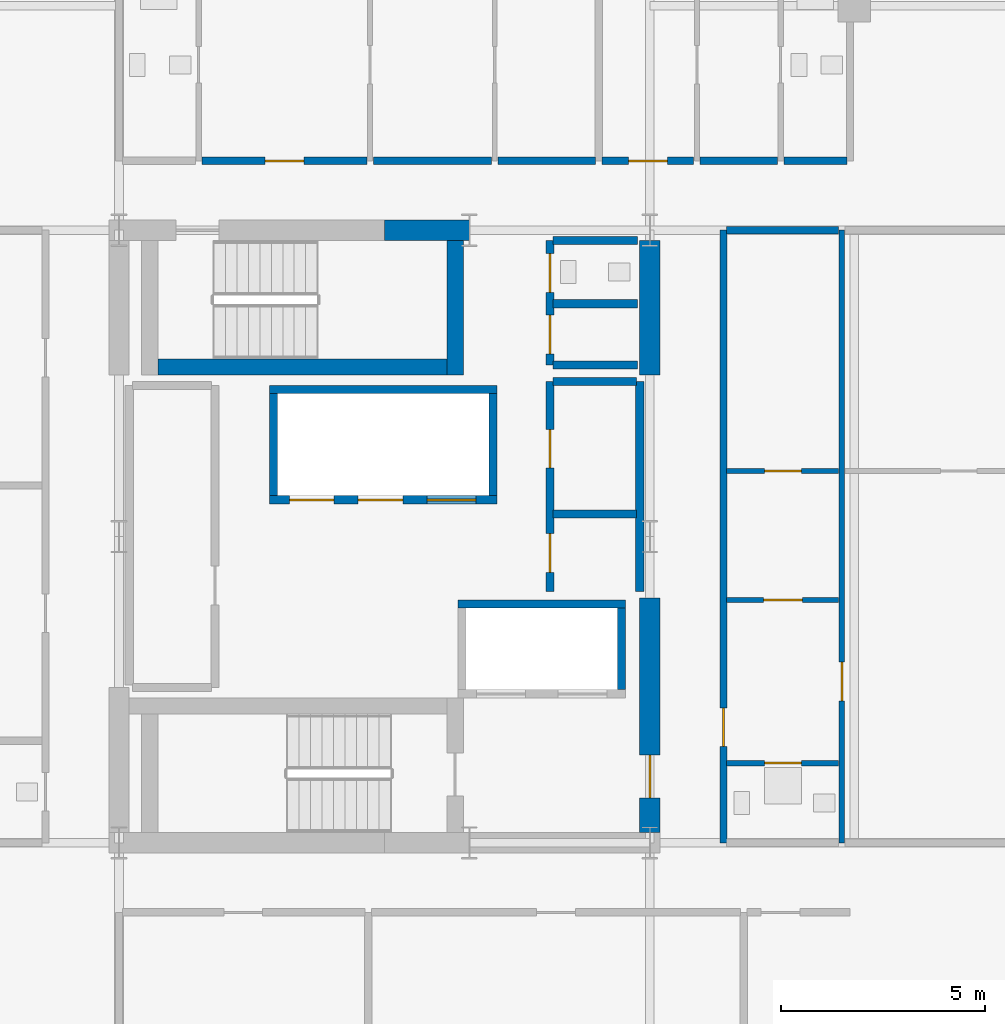
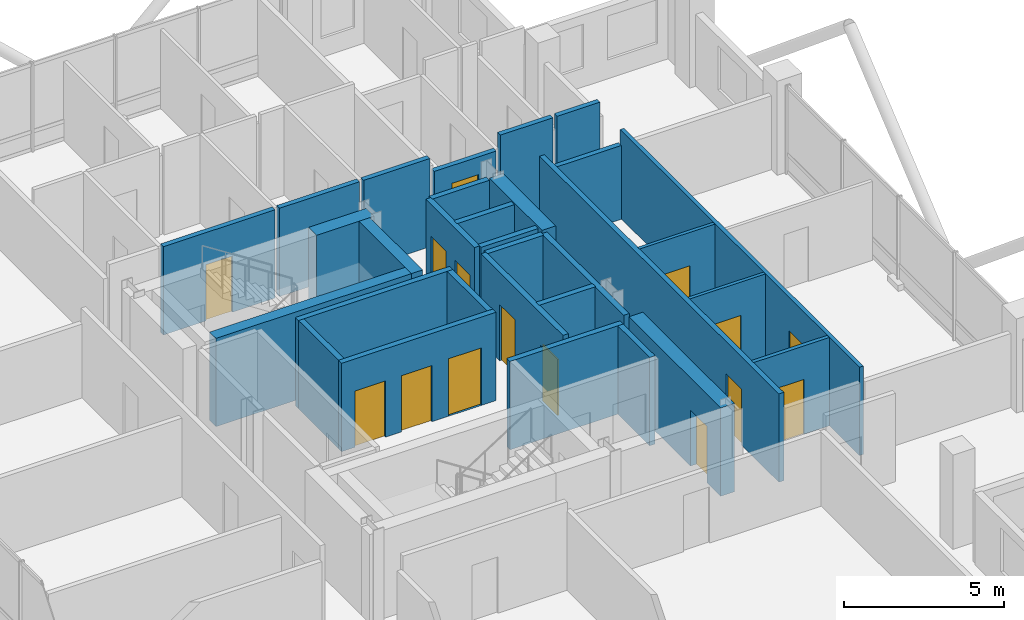
# One storey, part 20 of 24: 31 walls, 15 doors, 15 openings.
"""IFC4 building model written with IfcOpenShell, lengths in metres."""

from ifc_helpers import new_model, si_unit, direction, frame, frame_2d, origin, place, context, subcontext, project, spatial, rectangle, extrude, material, layer, layer_set, type_object, element, fill, save


model = new_model("IFC4")

# Units and contexts
model_context = context("Model", 3, precision=1e-05, world=origin(), true_north=direction((0.0, 1.0)))
body_context = subcontext(model_context, "Body", "Model", "MODEL_VIEW")
ifc_project = project(units=[si_unit("LENGTHUNIT", "METRE"), si_unit("AREAUNIT", "SQUARE_METRE"), si_unit("VOLUMEUNIT", "CUBIC_METRE"), si_unit("PLANEANGLEUNIT", "RADIAN"), si_unit("MASSUNIT", "GRAM", prefix="KILO")], contexts=[model_context])

# Site, building, storey
site_placement = place(None, origin())
site = spatial("IfcSite", under=ifc_project, at=site_placement, CompositionType="ELEMENT")
building_placement = place(site_placement, origin())
building = spatial("IfcBuilding", under=site, at=building_placement, Name="Barlavira Tower and Art Museum", CompositionType="ELEMENT")
storey_placement = place(building_placement, frame((0.0, 0.0, 283.5)))
storey = spatial("IfcBuildingStorey", under=building, at=storey_placement, Name="L74", CompositionType="ELEMENT", Elevation=283.5)

# Wall, opening, door
ifc_material_1 = material(Name="Gypsum acoustic stud partition", Category="gypsum")
ifc_layer_1 = layer(ifc_material_1, 0.1201171875, Name="Gypsum acoustic stud partition")
ifc_layer_set_1 = layer_set([ifc_layer_1], Name="Gypsum acoustic stud partition")
wall_type_1 = type_object("IfcWallType", Name="Apartment Internal Acoustic Partition 120", PredefinedType="PARTITIONING", material=ifc_layer_set_1)
wall_1_placement = place(storey_placement, frame((8.3798828125, -1.550048828125, 0.0), z_axis=(0.0, 0.0, 1.0), x_axis=(1.0, 0.0, 0.0)))
wall_1 = element("IfcWall", 1, at=wall_1_placement, inside=storey, type_object=wall_type_1, Name="L74 Partition Wall 32", PredefinedType="PARTITIONING", context=body_context, shape_type="SweptSolid", body=[
    extrude(rectangle(XDim=2.740234375, YDim=0.1201171875, at=frame_2d((1.3701171875, 0.0))), origin(), (0.0, 0.0, 1.0), 3.3798828125),
])
opening_1_placement = place(wall_1_placement, frame((0.905029296875, 0.0, 0.0)))
opening_1 = element("IfcOpeningElement", 2, at=opening_1_placement, cuts=wall_1, Name="Opening D-02", PredefinedType="OPENING", context=body_context, shape_type="SweptSolid", body=[
    extrude(rectangle(XDim=0.949951171875, YDim=2.10009765625, at=frame_2d((0.47509765625, 1.050048828125))), frame((0.0, 0.070068359375, 0.0), z_axis=(0.0, -1.0, 0.0), x_axis=(1.0, 0.0, 0.0)), (0.0, 0.0, 1.0), 0.14013671875),
])
ifc_material_2 = material(Name="Engineered coastal hardwood", Category="wood")
door_type_1 = type_object("IfcDoorType", Name="Living and Salon Glazed-Leaf Door 950x2100", OperationType="NOTDEFINED", PredefinedType="DOOR", material=ifc_material_2)
door_1_placement = place(opening_1_placement, origin())
door_1 = element("IfcDoor", 3, at=door_1_placement, inside=storey, type_object=door_type_1, Name="Apartment E1 Kitchen Door", OperationType="SINGLE_SWING_LEFT", OverallHeight=2.10009765625, OverallWidth=0.949951171875, PredefinedType="DOOR", context=body_context, shape_type="SweptSolid", body=[
    extrude(rectangle(XDim=0.949951171875, YDim=2.10009765625, at=frame_2d((0.47509765625, 1.050048828125))), frame((0.0, 0.02490234375, 0.0), z_axis=(0.0, -1.0, 0.0), x_axis=(1.0, 0.0, 0.0)), (0.0, 0.0, 1.0), 0.050048828125),
])
fill(opening_1, door_1)

wall_2_placement = place(storey_placement, frame((8.3798828125, 1.60009765625, 0.0), z_axis=(0.0, 0.0, 1.0), x_axis=(1.0, 0.0, 0.0)))
wall_2 = element("IfcWall", 4, at=wall_2_placement, inside=storey, type_object=wall_type_1, Name="L74 Partition Wall 35", PredefinedType="PARTITIONING", context=body_context, shape_type="SweptSolid", body=[
    extrude(rectangle(XDim=2.740234375, YDim=0.1201171875, at=frame_2d((1.3701171875, 0.0))), origin(), (0.0, 0.0, 1.0), 3.3798828125),
])
opening_2_placement = place(wall_2_placement, frame((0.929931640625, 0.0, 0.0)))
opening_2 = element("IfcOpeningElement", 5, at=opening_2_placement, cuts=wall_2, Name="Opening D-01", PredefinedType="OPENING", context=body_context, shape_type="SweptSolid", body=[
    extrude(rectangle(XDim=0.89990234375, YDim=2.10009765625, at=frame_2d((0.449951171875, 1.050048828125))), frame((0.0, 0.070068359375, 0.0), z_axis=(0.0, -1.0, 0.0), x_axis=(1.0, 0.0, 0.0)), (0.0, 0.0, 1.0), 0.14013671875),
])
door_type_2 = type_object("IfcDoorType", Name="Internal Bedroom Timber Flush Door 900x2100", OperationType="NOTDEFINED", PredefinedType="DOOR", material=ifc_material_2)
door_2_placement = place(opening_2_placement, origin())
door_2 = element("IfcDoor", 6, at=door_2_placement, inside=storey, type_object=door_type_2, Name="Apartment E1 Walk-In Dressing Room Door", OperationType="SINGLE_SWING_RIGHT", OverallHeight=2.10009765625, OverallWidth=0.89990234375, PredefinedType="DOOR", context=body_context, shape_type="SweptSolid", body=[
    extrude(rectangle(XDim=0.89990234375, YDim=2.10009765625, at=frame_2d((0.449951171875, 1.050048828125))), frame((0.0, 0.02490234375, 0.0), z_axis=(0.0, -1.0, 0.0), x_axis=(1.0, 0.0, 0.0)), (0.0, 0.0, 1.0), 0.050048828125),
])
fill(opening_2, door_2)

# Wall
ifc_material_3 = material(Name="Concrete C60", Category="concrete")
ifc_layer_2 = layer(ifc_material_3, 0.5, Name="Concrete C60")
ifc_layer_set_2 = layer_set([ifc_layer_2], Name="Concrete C60")
wall_type_2 = type_object("IfcWallType", Name="Core Structural Shear Wall 500 Concrete C60", PredefinedType="SHEAR", material=ifc_layer_set_2)
wall_3_placement = place(storey_placement, frame((0.0, 7.5, 0.0), z_axis=(0.0, 0.0, 1.0), x_axis=(1.0, 0.0, 0.0)))
element("IfcWall", 7, at=wall_3_placement, inside=storey, type_object=wall_type_2, Name="L74 Core Shear Wall CS-EN", PredefinedType="SHEAR", context=body_context, shape_type="SweptSolid", body=[
    extrude(rectangle(XDim=2.080078125, YDim=0.5, at=frame_2d((1.0400390625, 0.0))), origin(), (0.0, 0.0, 1.0), 3.3798828125),
])

# Wall, opening, door
wall_4_placement = place(storey_placement, frame((6.5, -7.25, 0.0), z_axis=(0.0, 0.0, 1.0), x_axis=(0.0, 1.0, 0.0)))
wall_4 = element("IfcWall", 8, at=wall_4_placement, inside=storey, type_object=wall_type_2, Name="L74 Core Shear Wall CS-E1", PredefinedType="SHEAR", context=body_context, shape_type="SweptSolid", body=[
    extrude(rectangle(XDim=5.75, YDim=0.5, at=frame_2d((2.875, 0.0))), origin(), (0.0, 0.0, 1.0), 3.3798828125),
])
opening_3_placement = place(wall_4_placement, frame((0.85009765625, 0.0, 0.0)))
opening_3 = element("IfcOpeningElement", 9, at=opening_3_placement, cuts=wall_4, Name="Opening FD-90", PredefinedType="OPENING", context=body_context, shape_type="SweptSolid", body=[
    extrude(rectangle(XDim=1.050048828125, YDim=2.14990234375, at=frame_2d((0.52490234375, 1.074951171875))), frame((0.0, 0.260009765625, 0.0), z_axis=(0.0, -1.0, 0.0), x_axis=(1.0, 0.0, 0.0)), (0.0, 0.0, 1.0), 0.52001953125),
])
ifc_material_4 = material(Name="Brushed stainless steel", Category="steel")
door_type_3 = type_object("IfcDoorType", Name="Stair and Refuge Fire Door 1050x2150 FD90S", OperationType="NOTDEFINED", PredefinedType="DOOR", material=ifc_material_4)
door_3_placement = place(opening_3_placement, origin())
door_3 = element("IfcDoor", 10, at=door_3_placement, inside=storey, type_object=door_type_3, Name="L74 Firefighting Lobby Entry Fire Door", OperationType="SINGLE_SWING_LEFT", OverallHeight=2.14990234375, OverallWidth=1.050048828125, PredefinedType="DOOR", context=body_context, shape_type="SweptSolid", body=[
    extrude(rectangle(XDim=1.050048828125, YDim=2.14990234375, at=frame_2d((0.52490234375, 1.074951171875))), frame((0.0, 0.02490234375, 0.0), z_axis=(0.0, -1.0, 0.0), x_axis=(1.0, 0.0, 0.0)), (0.0, 0.0, 1.0), 0.050048828125),
])
fill(opening_3, door_3)

# Wall
wall_5_placement = place(storey_placement, frame((6.5, 3.949951171875, 0.0), z_axis=(0.0, 0.0, 1.0), x_axis=(0.0, 1.0, 0.0)))
element("IfcWall", 11, at=wall_5_placement, inside=storey, type_object=wall_type_2, Name="L74 Core Shear Wall CS-E2", PredefinedType="SHEAR", context=body_context, shape_type="SweptSolid", body=[
    extrude(rectangle(XDim=3.300048828125, YDim=0.5, at=frame_2d((1.64990234375, 0.0))), origin(), (0.0, 0.0, 1.0), 3.3798828125),
])

# Wall, openings, doors
ifc_material_5 = material(Name="Autoclaved aerated concrete masonry", Category="masonry")
ifc_layer_3 = layer(ifc_material_5, 0.199951171875, Name="Autoclaved aerated concrete masonry")
ifc_layer_set_3 = layer_set([ifc_layer_3], Name="Autoclaved aerated concrete masonry")
wall_type_3 = type_object("IfcWallType", Name="Fire Compartment and Shaft Wall 200", PredefinedType="SOLIDWALL", material=ifc_layer_set_3)
wall_6_placement = place(storey_placement, frame((-2.820068359375, 0.89990234375, 0.0), z_axis=(0.0, 0.0, 1.0), x_axis=(1.0, 0.0, 0.0)))
wall_6 = element("IfcWall", 12, at=wall_6_placement, inside=storey, type_object=wall_type_3, Name="L74 High-Rise & Service Lift Front Wall", PredefinedType="SOLIDWALL", context=body_context, shape_type="SweptSolid", body=[
    extrude(rectangle(XDim=5.580078125, YDim=0.199951171875, at=frame_2d((2.7900390625, 0.0))), origin(), (0.0, 0.0, 1.0), 3.3798828125),
])
opening_4_placement = place(wall_6_placement, frame((0.489990234375, 0.0, 0.0)))
opening_4 = element("IfcOpeningElement", 13, at=opening_4_placement, cuts=wall_6, Name="Opening LD-P", PredefinedType="OPENING", context=body_context, shape_type="SweptSolid", body=[
    extrude(rectangle(XDim=1.10009765625, YDim=2.14990234375, at=frame_2d((0.550048828125, 1.074951171875))), frame((0.0, 0.10986328125, 0.0), z_axis=(0.0, -1.0, 0.0), x_axis=(1.0, 0.0, 0.0)), (0.0, 0.0, 1.0), 0.219970703125),
])
opening_5_placement = place(wall_6_placement, frame((2.169921875, 0.0, 0.0)))
opening_5 = element("IfcOpeningElement", 14, at=opening_5_placement, cuts=wall_6, Name="Opening LD-P", PredefinedType="OPENING", context=body_context, shape_type="SweptSolid", body=[
    extrude(rectangle(XDim=1.10009765625, YDim=2.14990234375, at=frame_2d((0.550048828125, 1.074951171875))), frame((0.0, 0.10986328125, 0.0), z_axis=(0.0, -1.0, 0.0), x_axis=(1.0, 0.0, 0.0)), (0.0, 0.0, 1.0), 0.219970703125),
])
opening_6_placement = place(wall_6_placement, frame((3.860107421875, 0.0, 0.0)))
opening_6 = element("IfcOpeningElement", 15, at=opening_6_placement, cuts=wall_6, Name="Opening LD-F", PredefinedType="OPENING", context=body_context, shape_type="SweptSolid", body=[
    extrude(rectangle(XDim=1.199951171875, YDim=2.199951171875, at=frame_2d((0.60009765625, 1.10009765625))), frame((0.0, 0.10986328125, 0.0), z_axis=(0.0, -1.0, 0.0), x_axis=(1.0, 0.0, 0.0)), (0.0, 0.0, 1.0), 0.219970703125),
])
door_type_4 = type_object("IfcDoorType", Name="Firefighting and Service Lift Sliding Door 1200x2200 FD120", OperationType="NOTDEFINED", PredefinedType="DOOR", material=ifc_material_4)
door_4_placement = place(opening_6_placement, origin())
door_4 = element("IfcDoor", 16, at=door_4_placement, inside=storey, type_object=door_type_4, Name="L74 Stretcher Service Lift SL1 Sliding Door", OperationType="DOUBLE_DOOR_SLIDING", OverallHeight=2.199951171875, OverallWidth=1.199951171875, PredefinedType="DOOR", context=body_context, shape_type="SweptSolid", body=[
    extrude(rectangle(XDim=1.199951171875, YDim=2.199951171875, at=frame_2d((0.60009765625, 1.10009765625))), frame((0.0, 0.02490234375, 0.0), z_axis=(0.0, -1.0, 0.0), x_axis=(1.0, 0.0, 0.0)), (0.0, 0.0, 1.0), 0.050048828125),
])
fill(opening_6, door_4)
door_type_5 = type_object("IfcDoorType", Name="Passenger Lift Sliding Landing Door 1100x2150 FD60", OperationType="NOTDEFINED", PredefinedType="DOOR", material=ifc_material_4)
door_5_placement = place(opening_4_placement, origin())
door_5 = element("IfcDoor", 17, at=door_5_placement, inside=storey, type_object=door_type_5, Name="L74 Lift PH1 Sliding Landing Door", OperationType="DOUBLE_DOOR_SLIDING", OverallHeight=2.14990234375, OverallWidth=1.10009765625, PredefinedType="DOOR", context=body_context, shape_type="SweptSolid", body=[
    extrude(rectangle(XDim=1.10009765625, YDim=2.14990234375, at=frame_2d((0.550048828125, 1.074951171875))), frame((0.0, 0.02490234375, 0.0), z_axis=(0.0, -1.0, 0.0), x_axis=(1.0, 0.0, 0.0)), (0.0, 0.0, 1.0), 0.050048828125),
])
fill(opening_4, door_5)
door_6_placement = place(opening_5_placement, origin())
door_6 = element("IfcDoor", 18, at=door_6_placement, inside=storey, type_object=door_type_5, Name="L74 Lift PH2 Sliding Landing Door", OperationType="DOUBLE_DOOR_SLIDING", OverallHeight=2.14990234375, OverallWidth=1.10009765625, PredefinedType="DOOR", context=body_context, shape_type="SweptSolid", body=[
    extrude(rectangle(XDim=1.10009765625, YDim=2.14990234375, at=frame_2d((0.550048828125, 1.074951171875))), frame((0.0, 0.02490234375, 0.0), z_axis=(0.0, -1.0, 0.0), x_axis=(1.0, 0.0, 0.0)), (0.0, 0.0, 1.0), 0.050048828125),
])
fill(opening_5, door_6)

# Walls
wall_7_placement = place(storey_placement, frame((-2.820068359375, 3.60009765625, 0.0), z_axis=(0.0, 0.0, 1.0), x_axis=(1.0, 0.0, 0.0)))
element("IfcWall", 19, at=wall_7_placement, inside=storey, type_object=wall_type_3, Name="L74 High-Rise & Service Lift Back Wall", PredefinedType="SOLIDWALL", context=body_context, shape_type="SweptSolid", body=[
    extrude(rectangle(XDim=5.580078125, YDim=0.199951171875, at=frame_2d((2.7900390625, 0.0))), origin(), (0.0, 0.0, 1.0), 3.3798828125),
])
for number, where, z_axis, x_axis, name in (
    (20, (-2.719970703125, 1.0, 0.0), (0.0, 0.0, 1.0), (0.0, 1.0, 0.0), "L74 High-Rise & Service Lift West Wall"),
    (21, (2.659912109375, 1.0, 0.0), (0.0, 0.0, 1.0), (0.0, 1.0, 0.0), "L74 High-Rise & Service Lift East Wall"),
):
    element("IfcWall", number, at=place(storey_placement, frame(where, z_axis=z_axis, x_axis=x_axis)), inside=storey, type_object=wall_type_3, Name=name, PredefinedType="SOLIDWALL", context=body_context, shape_type="SweptSolid", body=[
        extrude(rectangle(XDim=2.5, YDim=0.199951171875, at=frame_2d((1.25, 0.0))), origin(), (0.0, 0.0, 1.0), 3.3798828125),
    ])
wall_8_placement = place(storey_placement, frame((1.800048828125, -1.64990234375, 0.0), z_axis=(0.0, 0.0, 1.0), x_axis=(1.0, 0.0, 0.0)))
element("IfcWall", 22, at=wall_8_placement, inside=storey, type_object=wall_type_3, Name="L74 Firefighting Lift Back Shaft Wall", PredefinedType="SOLIDWALL", context=body_context, shape_type="SweptSolid", body=[
    extrude(rectangle(XDim=4.099853515625, YDim=0.199951171875, at=frame_2d((2.0498046875, 0.0))), origin(), (0.0, 0.0, 1.0), 3.3798828125),
])
wall_9_placement = place(storey_placement, frame((5.800048828125, -3.75, 0.0), z_axis=(0.0, 0.0, 1.0), x_axis=(0.0, 1.0, 0.0)))
element("IfcWall", 23, at=wall_9_placement, inside=storey, type_object=wall_type_3, Name="L74 Firefighting Lift East Shaft Wall", PredefinedType="SOLIDWALL", context=body_context, shape_type="SweptSolid", body=[
    extrude(rectangle(XDim=2.0, YDim=0.199951171875, at=frame_2d((1.0, 0.0))), origin(), (0.0, 0.0, 1.0), 3.3798828125),
])

# Wall, openings, doors
wall_10_placement = place(storey_placement, frame((4.050048828125, -1.35009765625, 0.0), z_axis=(0.0, 0.0, 1.0), x_axis=(0.0, 1.0, 0.0)))
wall_10 = element("IfcWall", 24, at=wall_10_placement, inside=storey, type_object=wall_type_3, Name="L74 Partition Wall 12", PredefinedType="SOLIDWALL", context=body_context, shape_type="SweptSolid", body=[
    extrude(rectangle(XDim=5.150146484375, YDim=0.199951171875, at=frame_2d((2.5751953125, 0.0))), origin(), (0.0, 0.0, 1.0), 3.3798828125),
])
opening_7_placement = place(wall_10_placement, frame((0.47509765625, 0.0, 0.0)))
opening_7 = element("IfcOpeningElement", 25, at=opening_7_placement, cuts=wall_10, Name="Opening FD-60", PredefinedType="OPENING", context=body_context, shape_type="SweptSolid", body=[
    extrude(rectangle(XDim=0.949951171875, YDim=2.14990234375, at=frame_2d((0.47509765625, 1.074951171875))), frame((0.0, 0.10986328125, 0.0), z_axis=(0.0, -1.0, 0.0), x_axis=(1.0, 0.0, 0.0)), (0.0, 0.0, 1.0), 0.219970703125),
])
opening_8_placement = place(wall_10_placement, frame((3.02490234375, 0.0, 0.0)))
opening_8 = element("IfcOpeningElement", 26, at=opening_8_placement, cuts=wall_10, Name="Opening FD-60", PredefinedType="OPENING", context=body_context, shape_type="SweptSolid", body=[
    extrude(rectangle(XDim=0.949951171875, YDim=2.14990234375, at=frame_2d((0.47509765625, 1.074951171875))), frame((0.0, 0.10986328125, 0.0), z_axis=(0.0, -1.0, 0.0), x_axis=(1.0, 0.0, 0.0)), (0.0, 0.0, 1.0), 0.219970703125),
])
door_type_6 = type_object("IfcDoorType", Name="Apartment Entrance and Riser Fire Door 950x2150 FD60S", OperationType="NOTDEFINED", PredefinedType="DOOR", material=ifc_material_4)
door_7_placement = place(opening_7_placement, origin())
door_7 = element("IfcDoor", 27, at=door_7_placement, inside=storey, type_object=door_type_6, Name="Reclaimed Upper Core Wine Cellar Door", OperationType="SINGLE_SWING_LEFT", OverallHeight=2.14990234375, OverallWidth=0.949951171875, PredefinedType="DOOR", context=body_context, shape_type="SweptSolid", body=[
    extrude(rectangle(XDim=0.949951171875, YDim=2.14990234375, at=frame_2d((0.47509765625, 1.074951171875))), frame((0.0, 0.02490234375, 0.0), z_axis=(0.0, -1.0, 0.0), x_axis=(1.0, 0.0, 0.0)), (0.0, 0.0, 1.0), 0.050048828125),
])
fill(opening_7, door_7)
door_8_placement = place(opening_8_placement, origin())
door_8 = element("IfcDoor", 28, at=door_8_placement, inside=storey, type_object=door_type_6, Name="Reclaimed Upper Core Linen Store Door", OperationType="SINGLE_SWING_RIGHT", OverallHeight=2.14990234375, OverallWidth=0.949951171875, PredefinedType="DOOR", context=body_context, shape_type="SweptSolid", body=[
    extrude(rectangle(XDim=0.949951171875, YDim=2.14990234375, at=frame_2d((0.47509765625, 1.074951171875))), frame((0.0, 0.02490234375, 0.0), z_axis=(0.0, -1.0, 0.0), x_axis=(1.0, 0.0, 0.0)), (0.0, 0.0, 1.0), 0.050048828125),
])
fill(opening_8, door_8)

wall_11_placement = place(storey_placement, frame((4.050048828125, 4.199951171875, 0.0), z_axis=(0.0, 0.0, 1.0), x_axis=(0.0, 1.0, 0.0)))
wall_11 = element("IfcWall", 29, at=wall_11_placement, inside=storey, type_object=wall_type_3, Name="L74 Partition Wall 13", PredefinedType="SOLIDWALL", context=body_context, shape_type="SweptSolid", body=[
    extrude(rectangle(XDim=3.050048828125, YDim=0.199951171875, at=frame_2d((1.52490234375, 0.0))), origin(), (0.0, 0.0, 1.0), 3.3798828125),
])
opening_9_placement = place(wall_11_placement, frame((0.27490234375, 0.0, 0.0)))
opening_9 = element("IfcOpeningElement", 30, at=opening_9_placement, cuts=wall_11, Name="Opening FD-60", PredefinedType="OPENING", context=body_context, shape_type="SweptSolid", body=[
    extrude(rectangle(XDim=0.949951171875, YDim=2.14990234375, at=frame_2d((0.47509765625, 1.074951171875))), frame((0.0, 0.10986328125, 0.0), z_axis=(0.0, -1.0, 0.0), x_axis=(1.0, 0.0, 0.0)), (0.0, 0.0, 1.0), 0.219970703125),
])
opening_10_placement = place(wall_11_placement, frame((1.77490234375, 0.0, 0.0)))
opening_10 = element("IfcOpeningElement", 31, at=opening_10_placement, cuts=wall_11, Name="Opening FD-60", PredefinedType="OPENING", context=body_context, shape_type="SweptSolid", body=[
    extrude(rectangle(XDim=0.949951171875, YDim=2.14990234375, at=frame_2d((0.47509765625, 1.074951171875))), frame((0.0, 0.10986328125, 0.0), z_axis=(0.0, -1.0, 0.0), x_axis=(1.0, 0.0, 0.0)), (0.0, 0.0, 1.0), 0.219970703125),
])
door_9_placement = place(opening_9_placement, origin())
door_9 = element("IfcDoor", 32, at=door_9_placement, inside=storey, type_object=door_type_6, Name="Electrical Switchgear Room Door", OperationType="SINGLE_SWING_LEFT", OverallHeight=2.14990234375, OverallWidth=0.949951171875, PredefinedType="DOOR", context=body_context, shape_type="SweptSolid", body=[
    extrude(rectangle(XDim=0.949951171875, YDim=2.14990234375, at=frame_2d((0.47509765625, 1.074951171875))), frame((0.0, 0.02490234375, 0.0), z_axis=(0.0, -1.0, 0.0), x_axis=(1.0, 0.0, 0.0)), (0.0, 0.0, 1.0), 0.050048828125),
])
fill(opening_9, door_9)
door_10_placement = place(opening_10_placement, origin())
door_10 = element("IfcDoor", 33, at=door_10_placement, inside=storey, type_object=door_type_6, Name="Core Staff Toilet Door", OperationType="SINGLE_SWING_RIGHT", OverallHeight=2.14990234375, OverallWidth=0.949951171875, PredefinedType="DOOR", context=body_context, shape_type="SweptSolid", body=[
    extrude(rectangle(XDim=0.949951171875, YDim=2.14990234375, at=frame_2d((0.47509765625, 1.074951171875))), frame((0.0, 0.02490234375, 0.0), z_axis=(0.0, -1.0, 0.0), x_axis=(1.0, 0.0, 0.0)), (0.0, 0.0, 1.0), 0.050048828125),
])
fill(opening_10, door_10)

# Walls
wall_12_placement = place(storey_placement, frame((6.25, -1.35009765625, 0.0), z_axis=(0.0, 0.0, 1.0), x_axis=(0.0, 1.0, 0.0)))
element("IfcWall", 34, at=wall_12_placement, inside=storey, type_object=wall_type_3, Name="L74 Partition Wall 15", PredefinedType="SOLIDWALL", context=body_context, shape_type="SweptSolid", body=[
    extrude(rectangle(XDim=5.150146484375, YDim=0.199951171875, at=frame_2d((2.5751953125, 0.0))), origin(), (0.0, 0.0, 1.0), 3.3798828125),
])
for number, where, z_axis, x_axis, name in (
    (35, (4.1298828125, 0.550048828125, 0.0), (0.0, 0.0, 1.0), (1.0, 0.0, 0.0), "L74 Partition Wall 33"),
    (36, (4.1298828125, 3.800048828125, 0.0), (0.0, 0.0, 1.0), (1.0, 0.0, 0.0), "L74 Partition Wall 38"),
):
    element("IfcWall", number, at=place(storey_placement, frame(where, z_axis=z_axis, x_axis=x_axis)), inside=storey, type_object=wall_type_3, Name=name, PredefinedType="SOLIDWALL", context=body_context, shape_type="SweptSolid", body=[
        extrude(rectangle(XDim=2.0400390625, YDim=0.199951171875, at=frame_2d((1.02001953125, 0.0))), origin(), (0.0, 0.0, 1.0), 3.3798828125),
    ])
for number, where, z_axis, x_axis, name in (
    (37, (4.1298828125, 4.199951171875, 0.0), (0.0, 0.0, 1.0), (1.0, 0.0, 0.0), "L74 Partition Wall 39"),
    (38, (4.1298828125, 5.699951171875, 0.0), (0.0, 0.0, 1.0), (1.0, 0.0, 0.0), "L74 Partition Wall 40"),
    (39, (4.1298828125, 7.25, 0.0), (0.0, 0.0, 1.0), (1.0, 0.0, 0.0), "L74 Partition Wall 41"),
):
    element("IfcWall", number, at=place(storey_placement, frame(where, z_axis=z_axis, x_axis=x_axis)), inside=storey, type_object=wall_type_3, Name=name, PredefinedType="SOLIDWALL", context=body_context, shape_type="SweptSolid", body=[
        extrude(rectangle(XDim=2.070068359375, YDim=0.199951171875, at=frame_2d((1.03515625, 0.0))), origin(), (0.0, 0.0, 1.0), 3.3798828125),
    ])

# Wall, opening, door
ifc_layer_4 = layer(ifc_material_1, 0.179931640625, Name="Gypsum acoustic stud partition")
ifc_layer_set_4 = layer_set([ifc_layer_4], Name="Gypsum acoustic stud partition")
wall_type_4 = type_object("IfcWallType", Name="Inter-Tenancy Party Partition Wall 180", PredefinedType="PARTITIONING", material=ifc_layer_set_4)
wall_13_placement = place(storey_placement, frame((8.300048828125, -7.5, 0.0), z_axis=(0.0, 0.0, 1.0), x_axis=(0.0, 1.0, 0.0)))
wall_13 = element("IfcWall", 40, at=wall_13_placement, inside=storey, type_object=wall_type_4, Name="L74 Partition Wall 17", PredefinedType="PARTITIONING", context=body_context, shape_type="SweptSolid", body=[
    extrude(rectangle(XDim=15.0, YDim=0.179931640625, at=frame_2d((7.5, 0.0))), origin(), (0.0, 0.0, 1.0), 3.3798828125),
])
opening_11_placement = place(wall_13_placement, frame((2.35498046875, 0.0, 0.0)))
opening_11 = element("IfcOpeningElement", 41, at=opening_11_placement, cuts=wall_13, Name="Opening FD-60", PredefinedType="OPENING", context=body_context, shape_type="SweptSolid", body=[
    extrude(rectangle(XDim=0.949951171875, YDim=2.14990234375, at=frame_2d((0.47509765625, 1.074951171875))), frame((0.0, 0.10009765625, 0.0), z_axis=(0.0, -1.0, 0.0), x_axis=(1.0, 0.0, 0.0)), (0.0, 0.0, 1.0), 0.199951171875),
])
door_11_placement = place(opening_11_placement, origin())
door_11 = element("IfcDoor", 42, at=door_11_placement, inside=storey, type_object=door_type_6, Name="Apartment Entrance Hall E1 Door", OperationType="SINGLE_SWING_RIGHT", OverallHeight=2.14990234375, OverallWidth=0.949951171875, PredefinedType="DOOR", context=body_context, shape_type="SweptSolid", body=[
    extrude(rectangle(XDim=0.949951171875, YDim=2.14990234375, at=frame_2d((0.47509765625, 1.074951171875))), frame((0.0, 0.02490234375, 0.0), z_axis=(0.0, -1.0, 0.0), x_axis=(1.0, 0.0, 0.0)), (0.0, 0.0, 1.0), 0.050048828125),
])
fill(opening_11, door_11)

# Wall
wall_14_placement = place(storey_placement, frame((8.3798828125, 7.5, 0.0), z_axis=(0.0, 0.0, 1.0), x_axis=(1.0, 0.0, 0.0)))
element("IfcWall", 43, at=wall_14_placement, inside=storey, type_object=wall_type_4, Name="L74 Partition Wall 43", PredefinedType="PARTITIONING", context=body_context, shape_type="SweptSolid", body=[
    extrude(rectangle(XDim=2.740234375, YDim=0.179931640625, at=frame_2d((1.3701171875, 0.0))), origin(), (0.0, 0.0, 1.0), 2.825927734375),
])

# Wall, opening, door
wall_15_placement = place(storey_placement, frame((-4.469970703125, 9.199951171875, 0.0), z_axis=(0.0, 0.0, 1.0), x_axis=(1.0, 0.0, 0.0)))
wall_15 = element("IfcWall", 44, at=wall_15_placement, inside=storey, type_object=wall_type_4, Name="L74 Partition Wall 46", PredefinedType="PARTITIONING", context=body_context, shape_type="SweptSolid", body=[
    extrude(rectangle(XDim=4.0400390625, YDim=0.179931640625, at=frame_2d((2.02001953125, 0.0))), origin(), (0.0, 0.0, 1.0), 3.3798828125),
])
opening_12_placement = place(wall_15_placement, frame((1.544921875, 0.0, 0.0)))
opening_12 = element("IfcOpeningElement", 45, at=opening_12_placement, cuts=wall_15, Name="Opening FD-60", PredefinedType="OPENING", context=body_context, shape_type="SweptSolid", body=[
    extrude(rectangle(XDim=0.949951171875, YDim=2.14990234375, at=frame_2d((0.47509765625, 1.074951171875))), frame((0.0, 0.10009765625, 0.0), z_axis=(0.0, -1.0, 0.0), x_axis=(1.0, 0.0, 0.0)), (0.0, 0.0, 1.0), 0.199951171875),
])
door_12_placement = place(opening_12_placement, origin())
door_12 = element("IfcDoor", 46, at=door_12_placement, inside=storey, type_object=door_type_6, Name="Apartment Entrance Hall N1 Door", OperationType="SINGLE_SWING_LEFT", OverallHeight=2.14990234375, OverallWidth=0.949951171875, PredefinedType="DOOR", context=body_context, shape_type="SweptSolid", body=[
    extrude(rectangle(XDim=0.949951171875, YDim=2.14990234375, at=frame_2d((0.47509765625, 1.074951171875))), frame((0.0, 0.02490234375, 0.0), z_axis=(0.0, -1.0, 0.0), x_axis=(1.0, 0.0, 0.0)), (0.0, 0.0, 1.0), 0.050048828125),
])
fill(opening_12, door_12)

# Walls
wall_16_placement = place(storey_placement, frame((-0.27001953125, 9.199951171875, 0.0), z_axis=(0.0, 0.0, 1.0), x_axis=(1.0, 0.0, 0.0)))
element("IfcWall", 47, at=wall_16_placement, inside=storey, type_object=wall_type_4, Name="L74 Partition Wall 47", PredefinedType="PARTITIONING", context=body_context, shape_type="SweptSolid", body=[
    extrude(rectangle(XDim=2.89013671875, YDim=0.179931640625, at=frame_2d((1.445068359375, 0.0))), origin(), (0.0, 0.0, 1.0), 3.3798828125),
])
wall_17_placement = place(storey_placement, frame((2.780029296875, 9.199951171875, 0.0), z_axis=(0.0, 0.0, 1.0), x_axis=(1.0, 0.0, 0.0)))
element("IfcWall", 48, at=wall_17_placement, inside=storey, type_object=wall_type_4, Name="L74 Partition Wall 48", PredefinedType="PARTITIONING", context=body_context, shape_type="SweptSolid", body=[
    extrude(rectangle(XDim=2.389892578125, YDim=0.179931640625, at=frame_2d((1.19482421875, 0.0))), origin(), (0.0, 0.0, 1.0), 3.3798828125),
])

# Wall, opening, door
wall_18_placement = place(storey_placement, frame((5.330078125, 9.199951171875, 0.0), z_axis=(0.0, 0.0, 1.0), x_axis=(1.0, 0.0, 0.0)))
wall_18 = element("IfcWall", 49, at=wall_18_placement, inside=storey, type_object=wall_type_4, Name="L74 Partition Wall 49", PredefinedType="PARTITIONING", context=body_context, shape_type="SweptSolid", body=[
    extrude(rectangle(XDim=2.239990234375, YDim=0.179931640625, at=frame_2d((1.1201171875, 0.0))), origin(), (0.0, 0.0, 1.0), 2.825927734375),
])
opening_13_placement = place(wall_18_placement, frame((0.64501953125, 0.0, 0.0)))
opening_13 = element("IfcOpeningElement", 50, at=opening_13_placement, cuts=wall_18, Name="Opening FD-60", PredefinedType="OPENING", context=body_context, shape_type="SweptSolid", body=[
    extrude(rectangle(XDim=0.949951171875, YDim=2.14990234375, at=frame_2d((0.47509765625, 1.074951171875))), frame((0.0, 0.10009765625, 0.0), z_axis=(0.0, -1.0, 0.0), x_axis=(1.0, 0.0, 0.0)), (0.0, 0.0, 1.0), 0.199951171875),
])
door_13_placement = place(opening_13_placement, origin())
door_13 = element("IfcDoor", 51, at=door_13_placement, inside=storey, type_object=door_type_6, Name="Apartment Entrance Hall N2 Door", OperationType="SINGLE_SWING_LEFT", OverallHeight=2.14990234375, OverallWidth=0.949951171875, PredefinedType="DOOR", context=body_context, shape_type="SweptSolid", body=[
    extrude(rectangle(XDim=0.949951171875, YDim=2.14990234375, at=frame_2d((0.47509765625, 1.074951171875))), frame((0.0, 0.02490234375, 0.0), z_axis=(0.0, -1.0, 0.0), x_axis=(1.0, 0.0, 0.0)), (0.0, 0.0, 1.0), 0.050048828125),
])
fill(opening_13, door_13)

# Walls
wall_19_placement = place(storey_placement, frame((7.72998046875, 9.199951171875, 0.0), z_axis=(0.0, 0.0, 1.0), x_axis=(1.0, 0.0, 0.0)))
element("IfcWall", 52, at=wall_19_placement, inside=storey, type_object=wall_type_4, Name="L74 Partition Wall 50", PredefinedType="PARTITIONING", context=body_context, shape_type="SweptSolid", body=[
    extrude(rectangle(XDim=1.89013671875, YDim=0.179931640625, at=frame_2d((0.945068359375, 0.0))), origin(), (0.0, 0.0, 1.0), 3.3798828125),
])
wall_20_placement = place(storey_placement, frame((9.780029296875, 9.199951171875, 0.0), z_axis=(0.0, 0.0, 1.0), x_axis=(1.0, 0.0, 0.0)))
element("IfcWall", 53, at=wall_20_placement, inside=storey, type_object=wall_type_4, Name="L74 Partition Wall 51", PredefinedType="PARTITIONING", context=body_context, shape_type="SweptSolid", body=[
    extrude(rectangle(XDim=1.5400390625, YDim=0.179931640625, at=frame_2d((0.77001953125, 0.0))), origin(), (0.0, 0.0, 1.0), 3.3798828125),
])

# Wall, opening, door
ifc_layer_5 = layer(ifc_material_1, 0.139892578125, Name="Gypsum acoustic stud partition")
ifc_layer_set_5 = layer_set([ifc_layer_5], Name="Gypsum acoustic stud partition")
wall_type_5 = type_object("IfcWallType", Name="Moisture-Resistant Bathroom Partition 140", PredefinedType="PARTITIONING", material=ifc_layer_set_5)
wall_21_placement = place(storey_placement, frame((11.199951171875, -7.5, 0.0), z_axis=(0.0, 0.0, 1.0), x_axis=(0.0, 1.0, 0.0)))
wall_21 = element("IfcWall", 54, at=wall_21_placement, inside=storey, type_object=wall_type_5, Name="L74 Partition Wall 21", PredefinedType="PARTITIONING", context=body_context, shape_type="SweptSolid", body=[
    extrude(rectangle(XDim=15.0, YDim=0.139892578125, at=frame_2d((7.5, 0.0))), origin(), (0.0, 0.0, 1.0), 3.3798828125),
])
opening_14_placement = place(wall_21_placement, frame((3.47509765625, 0.0, 0.0)))
opening_14 = element("IfcOpeningElement", 55, at=opening_14_placement, cuts=wall_21, Name="Opening D-02", PredefinedType="OPENING", context=body_context, shape_type="SweptSolid", body=[
    extrude(rectangle(XDim=0.949951171875, YDim=2.10009765625, at=frame_2d((0.47509765625, 1.050048828125))), frame((0.0, 0.080078125, 0.0), z_axis=(0.0, -1.0, 0.0), x_axis=(1.0, 0.0, 0.0)), (0.0, 0.0, 1.0), 0.159912109375),
])
door_14_placement = place(opening_14_placement, origin())
door_14 = element("IfcDoor", 56, at=door_14_placement, inside=storey, type_object=door_type_1, Name="Apartment E1 Living Lounge Door", OperationType="SINGLE_SWING_LEFT", OverallHeight=2.10009765625, OverallWidth=0.949951171875, PredefinedType="DOOR", context=body_context, shape_type="SweptSolid", body=[
    extrude(rectangle(XDim=0.949951171875, YDim=2.10009765625, at=frame_2d((0.47509765625, 1.050048828125))), frame((0.0, 0.02490234375, 0.0), z_axis=(0.0, -1.0, 0.0), x_axis=(1.0, 0.0, 0.0)), (0.0, 0.0, 1.0), 0.050048828125),
])
fill(opening_14, door_14)

wall_22_placement = place(storey_placement, frame((8.3798828125, -5.550048828125, 0.0), z_axis=(0.0, 0.0, 1.0), x_axis=(1.0, 0.0, 0.0)))
wall_22 = element("IfcWall", 57, at=wall_22_placement, inside=storey, type_object=wall_type_5, Name="L74 Partition Wall 29", PredefinedType="PARTITIONING", context=body_context, shape_type="SweptSolid", body=[
    extrude(rectangle(XDim=2.740234375, YDim=0.139892578125, at=frame_2d((1.3701171875, 0.0))), origin(), (0.0, 0.0, 1.0), 3.3798828125),
])
opening_15_placement = place(wall_22_placement, frame((0.929931640625, 0.0, 0.0)))
opening_15 = element("IfcOpeningElement", 58, at=opening_15_placement, cuts=wall_22, Name="Opening D-WC", PredefinedType="OPENING", context=body_context, shape_type="SweptSolid", body=[
    extrude(rectangle(XDim=0.89990234375, YDim=2.10009765625, at=frame_2d((0.449951171875, 1.050048828125))), frame((0.0, 0.080078125, 0.0), z_axis=(0.0, -1.0, 0.0), x_axis=(1.0, 0.0, 0.0)), (0.0, 0.0, 1.0), 0.159912109375),
])
door_type_7 = type_object("IfcDoorType", Name="Accessible Bathroom Flush Door 900x2100", OperationType="NOTDEFINED", PredefinedType="DOOR", material=ifc_material_2)
door_15_placement = place(opening_15_placement, origin())
door_15 = element("IfcDoor", 59, at=door_15_placement, inside=storey, type_object=door_type_7, Name="Apartment E1 Hall Bathroom Door", OperationType="SINGLE_SWING_LEFT", OverallHeight=2.10009765625, OverallWidth=0.89990234375, PredefinedType="DOOR", context=body_context, shape_type="SweptSolid", body=[
    extrude(rectangle(XDim=0.89990234375, YDim=2.10009765625, at=frame_2d((0.449951171875, 1.050048828125))), frame((0.0, 0.02490234375, 0.0), z_axis=(0.0, -1.0, 0.0), x_axis=(1.0, 0.0, 0.0)), (0.0, 0.0, 1.0), 0.050048828125),
])
fill(opening_15, door_15)

# Walls
ifc_material_6 = material(Name="Concrete C55", Category="concrete")
ifc_layer_6 = layer(ifc_material_6, 0.39990234375, Name="Concrete C55")
ifc_layer_set_6 = layer_set([ifc_layer_6], Name="Concrete C55")
wall_type_6 = type_object("IfcWallType", Name="Upper Core Shear Wall 400 Concrete C55", PredefinedType="SHEAR", material=ifc_layer_set_6)
wall_23_placement = place(storey_placement, frame((-5.550048828125, 4.14990234375, 0.0), z_axis=(0.0, 0.0, 1.0), x_axis=(1.0, 0.0, 0.0)))
element("IfcWall", 60, at=wall_23_placement, inside=storey, type_object=wall_type_6, Name="L74 ST-T2 South Shaft Wall", PredefinedType="SHEAR", context=body_context, shape_type="SweptSolid", body=[
    extrude(rectangle(XDim=7.080078125, YDim=0.39990234375, at=frame_2d((3.5400390625, 0.0))), origin(), (0.0, 0.0, 1.0), 3.3798828125),
])
wall_24_placement = place(storey_placement, frame((1.72998046875, 3.949951171875, 0.0), z_axis=(0.0, 0.0, 1.0), x_axis=(0.0, 1.0, 0.0)))
element("IfcWall", 61, at=wall_24_placement, inside=storey, type_object=wall_type_6, Name="L74 ST-T2 East Half-Landing Wall", PredefinedType="SHEAR", context=body_context, shape_type="SweptSolid", body=[
    extrude(rectangle(XDim=3.300048828125, YDim=0.39990234375, at=frame_2d((1.64990234375, 0.0))), origin(), (0.0, 0.0, 1.0), 3.3798828125),
])

save(model, "model.ifc")
